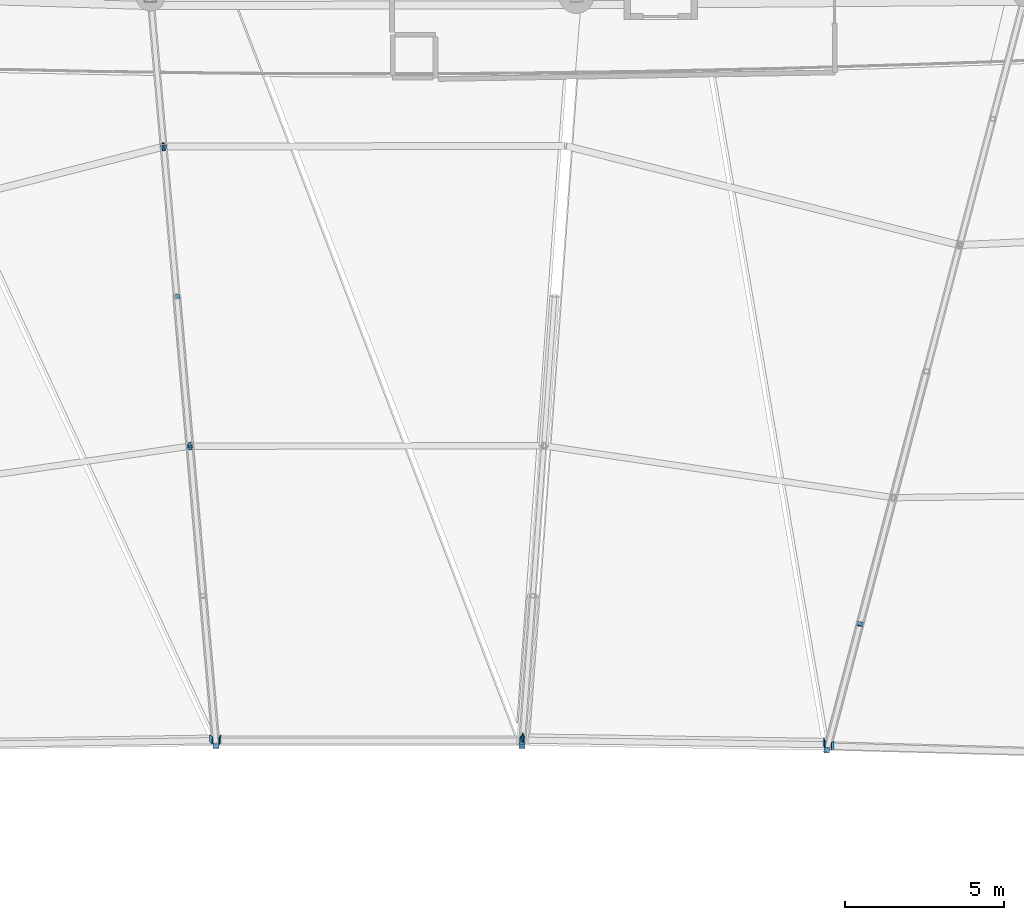
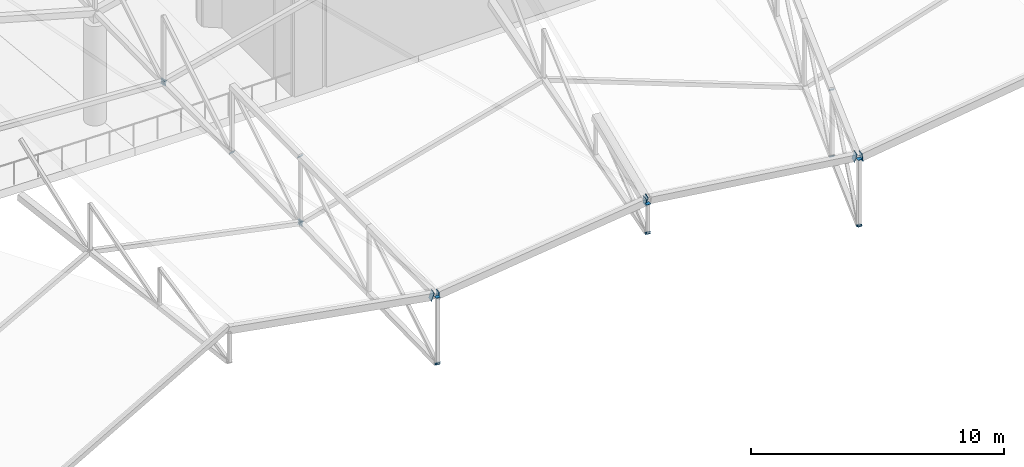
# One storey, part 321 of 344: 25 discrete accessories.
"""IFC4 building model written with IfcOpenShell, lengths in metres."""

from ifc_helpers import new_model, si_unit, direction, frame, origin, origin_2d, place, context, subcontext, project, spatial, rectangle, extrude, material, material_profile, profile_set, type_object, element, save


model = new_model("IFC4")

# Units and contexts
model_context = context("Model", 3, precision=1e-05, world=origin(), true_north=direction((0.0, 1.0)))
body_context = subcontext(model_context, "Body", "Model", "MODEL_VIEW")
ifc_project = project(units=[si_unit("LENGTHUNIT", "METRE"), si_unit("AREAUNIT", "SQUARE_METRE"), si_unit("VOLUMEUNIT", "CUBIC_METRE"), si_unit("PLANEANGLEUNIT", "RADIAN"), si_unit("MASSUNIT", "GRAM", prefix="KILO")], contexts=[model_context])

# Site, building, storey
site_placement = place(None, origin())
site = spatial("IfcSite", under=ifc_project, at=site_placement, CompositionType="ELEMENT")
building_placement = place(site_placement, origin())
building = spatial("IfcBuilding", under=site, at=building_placement, Name="Meseta Stadium", CompositionType="ELEMENT")
storey_placement = place(building_placement, frame((0.0, 0.0, 24.0)))
storey = spatial("IfcBuildingStorey", under=building, at=storey_placement, Name="L04", CompositionType="ELEMENT", Elevation=24.0)

# Discrete accessories
ifc_material_1 = material(Name="Steel S355", Category="steel")
ifc_material_profile_1 = material_profile(ifc_material_1, rectangle(XDim=0.179931640625, YDim=0.179931640625, at=origin_2d()), Name="PL 180x180")
ifc_profile_set_1 = profile_set([ifc_material_profile_1], Name="Steel S355")
discrete_accessory_type_1 = type_object("IfcDiscreteAccessoryType", Name="End plate 180x180x20", PredefinedType="ANCHORPLATE", material=ifc_profile_set_1)
discrete_accessory_1_placement = place(storey_placement, frame((14.3896484375, 65.8369140625, 1.78515625), z_axis=(0.0, 0.0, 1.0), x_axis=(1.0, 0.0, 0.0)))
element("IfcDiscreteAccessory", 1, at=discrete_accessory_1_placement, inside=storey, type_object=discrete_accessory_type_1, Name="End plate of ROOF TRUSS RT-17 post", PredefinedType="ANCHORPLATE", context=body_context, shape_type="SweptSolid", body=[
    extrude(rectangle(XDim=0.179931640625, YDim=0.179931640625, at=origin_2d()), origin(), (0.0, 0.0, 1.0), 0.02001953125),
])
discrete_accessory_2_placement = place(storey_placement, frame((14.3896484375, 65.8369140625, 5.00537109375), z_axis=(0.0, 0.0, 1.0), x_axis=(1.0, 0.0, 0.0)))
element("IfcDiscreteAccessory", 2, at=discrete_accessory_2_placement, inside=storey, type_object=discrete_accessory_type_1, Name="End plate of ROOF TRUSS RT-17 post", PredefinedType="ANCHORPLATE", context=body_context, shape_type="SweptSolid", body=[
    extrude(rectangle(XDim=0.179931640625, YDim=0.179931640625, at=origin_2d()), origin(), (0.0, 0.0, 1.0), 0.019775390625),
])
for number, where, z_axis, x_axis, name in (
    (3, (14.385986328125, 65.822509765625, 1.791748046875), (0.182831685835, 0.719137964286, 0.670382848063), (-0.969168531094, 0.246398779092, 0.0), "End plate of ROOF TRUSS RT-17 diagonal"),
    (4, (15.43310546875, 69.806640625, 5.5791015625), (0.182831685835, 0.719137964286, 0.670382848063), (-0.969168531094, 0.246398779092, 0.0), "End plate of ROOF TRUSS RT-17 diagonal"),
    (5, (15.42919921875, 69.79248046875, 2.365478515625), (0.196278391379, 0.71150916875, 0.674706970367), (-0.963992618206, 0.265928998126, 0.0), "End plate of ROOF TRUSS RT-17 diagonal"),
):
    element("IfcDiscreteAccessory", number, at=place(storey_placement, frame(where, z_axis=z_axis, x_axis=x_axis)), inside=storey, type_object=discrete_accessory_type_1, Name=name, PredefinedType="ANCHORPLATE", context=body_context, shape_type="SweptSolid", body=[
        extrude(rectangle(XDim=0.179931640625, YDim=0.179931640625, at=origin_2d()), origin(), (0.0, 0.0, 1.0), 0.02001953125),
    ])
discrete_accessory_3_placement = place(storey_placement, frame((4.80810546875, 65.981201171875, 4.694580078125), z_axis=(0.0, 0.0, 1.0), x_axis=(1.0, 0.0, 0.0)))
element("IfcDiscreteAccessory", 6, at=discrete_accessory_3_placement, inside=storey, type_object=discrete_accessory_type_1, Name="End plate of ROOF TRUSS RT-18 post", PredefinedType="ANCHORPLATE", context=body_context, shape_type="SweptSolid", body=[
    extrude(rectangle(XDim=0.179931640625, YDim=0.179931640625, at=origin_2d()), origin(), (0.0, 0.0, 1.0), 0.019775390625),
])
for number, where, z_axis, x_axis, name in (
    (7, (4.80810546875, 65.981201171875, 6.114501953125), (0.0, 0.0, 1.0), (1.0, 0.0, 0.0), "End plate of ROOF TRUSS RT-18 post"),
    (8, (4.806884765625, 65.9638671875, 4.70458984375), (0.061240305661, 0.869612340392, 0.489922445291), (-0.997529518435, 0.070248557636, 0.0), "End plate of ROOF TRUSS RT-18 diagonal"),
    (9, (-4.80810546875, 65.981201171875, 1.75048828125), (0.0, 0.0, 1.0), (1.0, 0.0, 0.0), "End plate of ROOF TRUSS RT-19 post"),
    (10, (-4.80810546875, 65.981201171875, 4.970458984375), (0.0, 0.0, 1.0), (1.0, 0.0, 0.0), "End plate of ROOF TRUSS RT-19 post"),
    (11, (-4.806640625, 65.9658203125, 1.7578125), (-0.073252483696, 0.769151078803, 0.634854858695), (-0.995495472594, -0.094809092628, 0.0), "End plate of ROOF TRUSS RT-19 diagonal"),
    (12, (-5.633056640625, 75.395751953125, 6.34716796875), (-0.073252483696, 0.769151078803, 0.634854858695), (-0.995495472594, -0.094809092628, 0.0), "End plate of ROOF TRUSS RT-19 diagonal"),
    (13, (-5.6318359375, 75.38037109375, 3.134521484375), (-0.061093841343, 0.769782400916, 0.635375949962), (-0.996865392576, -0.079116300998, 0.0), "End plate of ROOF TRUSS RT-19 diagonal"),
    (14, (-6.044189453125, 80.087890625, 3.822998046875), (-0.073252483696, 0.769151078803, 0.634854858695), (-0.995495472594, -0.094809092628, 0.0), "End plate of ROOF TRUSS RT-19 diagonal"),
    (15, (-6.456787109375, 84.795166015625, 4.511474609375), (-0.073252483696, 0.769151078803, 0.634854858695), (-0.995495472594, -0.094809092628, 0.0), "End plate of ROOF TRUSS RT-19 diagonal"),
):
    element("IfcDiscreteAccessory", number, at=place(storey_placement, frame(where, z_axis=z_axis, x_axis=x_axis)), inside=storey, type_object=discrete_accessory_type_1, Name=name, PredefinedType="ANCHORPLATE", context=body_context, shape_type="SweptSolid", body=[
        extrude(rectangle(XDim=0.179931640625, YDim=0.179931640625, at=origin_2d()), origin(), (0.0, 0.0, 1.0), 0.02001953125),
    ])
ifc_material_2 = material(Name="Steel S355", Category="steel")
ifc_material_profile_2 = material_profile(ifc_material_2, rectangle(XDim=0.239990234375, YDim=0.239990234375, at=origin_2d()), Name="PL 240x240")
ifc_profile_set_2 = profile_set([ifc_material_profile_2], Name="Steel S355")
discrete_accessory_type_2 = type_object("IfcDiscreteAccessoryType", Name="End plate 240x240x20", PredefinedType="ANCHORPLATE", material=ifc_profile_set_2)
for number, where, z_axis, x_axis, name in (
    (16, (-5.633056640625, 75.395751953125, 3.147216796875), (-0.966437683387, 0.0, -0.256901156343), (0.0, -1.0, 0.0), "End plate of ROOF TRUSS STRUT RT-18/19"),
    (17, (-5.6142578125, 75.398681640625, 3.141357421875), (-0.944305585896, -0.147164506893, 0.294329013786), (0.153985421265, -0.988073119783, 0.0), "End plate of ROOF TRUSS STRUT RT-19/20"),
):
    element("IfcDiscreteAccessory", number, at=place(storey_placement, frame(where, z_axis=z_axis, x_axis=x_axis)), inside=storey, type_object=discrete_accessory_type_2, Name=name, PredefinedType="ANCHORPLATE", context=body_context, shape_type="SweptSolid", body=[
        extrude(rectangle(XDim=0.239990234375, YDim=0.239990234375, at=origin_2d()), origin(), (0.0, 0.0, 1.0), 0.02001953125),
    ])
ifc_material_3 = material(Name="Steel S355", Category="steel")
ifc_material_profile_3 = material_profile(ifc_material_3, rectangle(XDim=0.239990234375, YDim=0.43994140625, at=origin_2d()), Name="PL 240x440")
ifc_profile_set_3 = profile_set([ifc_material_profile_3], Name="Steel S355")
discrete_accessory_type_3 = type_object("IfcDiscreteAccessoryType", Name="End plate 240x440x20", PredefinedType="ANCHORPLATE", material=ifc_profile_set_3)
discrete_accessory_4_placement = place(storey_placement, frame((14.577880859375, 65.982666015625, 5.001708984375), z_axis=(-0.986752353383, 0.024668808835, -0.160347257425), x_axis=(-0.008380543538, -0.994802889617, -0.101474022783)))
element("IfcDiscreteAccessory", 18, at=discrete_accessory_4_placement, inside=storey, type_object=discrete_accessory_type_3, Name="End plate of TIP RING BEAM 17", PredefinedType="ANCHORPLATE", context=body_context, shape_type="SweptSolid", body=[
    extrude(rectangle(XDim=0.239990234375, YDim=0.43994140625, at=origin_2d()), origin(), (0.0, 0.0, 1.0), 0.019775390625),
])
discrete_accessory_5_placement = place(storey_placement, frame((14.3193359375, 66.06396484375, 5.013427734375), z_axis=(-0.992390743393, 0.012251737573, 0.122517375727), x_axis=(-0.043621402237, -0.965483629867, -0.256784995132)))
element("IfcDiscreteAccessory", 19, at=discrete_accessory_5_placement, inside=storey, type_object=discrete_accessory_type_3, Name="End plate of TIP RING BEAM 18", PredefinedType="ANCHORPLATE", context=body_context, shape_type="SweptSolid", body=[
    extrude(rectangle(XDim=0.239990234375, YDim=0.43994140625, at=origin_2d()), origin(), (0.0, 0.0, 1.0), 0.02001953125),
])
discrete_accessory_6_placement = place(storey_placement, frame((4.855712890625, 66.20654296875, 6.16259765625), z_axis=(-0.992573153577, 0.012104550653, 0.121045506534), x_axis=(-0.04309526866, -0.965494829286, -0.256831720083)))
element("IfcDiscreteAccessory", 20, at=discrete_accessory_6_placement, inside=storey, type_object=discrete_accessory_type_3, Name="End plate of TIP RING BEAM 18", PredefinedType="ANCHORPLATE", context=body_context, shape_type="SweptSolid", body=[
    extrude(rectangle(XDim=0.239990234375, YDim=0.43994140625, at=origin_2d()), origin(), (0.0, 0.0, 1.0), 0.020263671875),
])
for number, where, z_axis, x_axis, name in (
    (21, (4.787841796875, 66.156982421875, 6.1435546875), (-0.992465233221, 0.0, -0.122526572003), (0.018881399973, -0.988055186253, -0.152939339784), "End plate of TIP RING BEAM 19"),
    (22, (-4.677978515625, 66.156982421875, 4.963623046875), (-0.992465233221, 0.0, -0.122526572003), (0.018881399973, -0.988055186253, -0.152939339784), "End plate of TIP RING BEAM 19"),
):
    element("IfcDiscreteAccessory", number, at=place(storey_placement, frame(where, z_axis=z_axis, x_axis=x_axis)), inside=storey, type_object=discrete_accessory_type_3, Name=name, PredefinedType="ANCHORPLATE", context=body_context, shape_type="SweptSolid", body=[
        extrude(rectangle(XDim=0.239990234375, YDim=0.43994140625, at=origin_2d()), origin(), (0.0, 0.0, 1.0), 0.02001953125),
    ])
discrete_accessory_7_placement = place(storey_placement, frame((-4.951171875, 66.177734375, 4.97802734375), z_axis=(-0.982798016298, -0.012284975204, 0.184274628056), x_axis=(-0.024859782968, -0.979904406345, -0.197912469584)))
element("IfcDiscreteAccessory", 23, at=discrete_accessory_7_placement, inside=storey, type_object=discrete_accessory_type_3, Name="End plate of TIP RING BEAM 20", PredefinedType="ANCHORPLATE", context=body_context, shape_type="SweptSolid", body=[
    extrude(rectangle(XDim=0.239990234375, YDim=0.43994140625, at=origin_2d()), origin(), (0.0, 0.0, 1.0), 0.019775390625),
])
ifc_material_4 = material(Name="Steel S355", Category="steel")
ifc_material_profile_4 = material_profile(ifc_material_4, rectangle(XDim=0.260009765625, YDim=0.260009765625, at=origin_2d()), Name="PL 260x260")
ifc_profile_set_4 = profile_set([ifc_material_profile_4], Name="Steel S355")
discrete_accessory_type_4 = type_object("IfcDiscreteAccessoryType", Name="End plate 260x260x20", PredefinedType="ANCHORPLATE", material=ifc_profile_set_4)
discrete_accessory_8_placement = place(storey_placement, frame((-6.458251953125, 84.810546875, 4.524169921875), z_axis=(-0.969416374533, 0.0, -0.24542186697), x_axis=(0.0, -1.0, 0.0)))
element("IfcDiscreteAccessory", 24, at=discrete_accessory_8_placement, inside=storey, type_object=discrete_accessory_type_4, Name="End plate of ROOF TRUSS STRUT RT-18/19", PredefinedType="ANCHORPLATE", context=body_context, shape_type="SweptSolid", body=[
    extrude(rectangle(XDim=0.260009765625, YDim=0.260009765625, at=origin_2d()), origin(), (0.0, 0.0, 1.0), 0.019775390625),
])
discrete_accessory_9_placement = place(storey_placement, frame((-6.439453125, 84.8154296875, 4.519287109375), z_axis=(-0.938675453221, -0.243811806031, 0.243811806031), x_axis=(0.251398364395, -0.967883702921, 0.0)))
element("IfcDiscreteAccessory", 25, at=discrete_accessory_9_placement, inside=storey, type_object=discrete_accessory_type_4, Name="End plate of ROOF TRUSS STRUT RT-19/20", PredefinedType="ANCHORPLATE", context=body_context, shape_type="SweptSolid", body=[
    extrude(rectangle(XDim=0.260009765625, YDim=0.260009765625, at=origin_2d()), origin(), (0.0, 0.0, 1.0), 0.02001953125),
])

save(model, "model.ifc")
